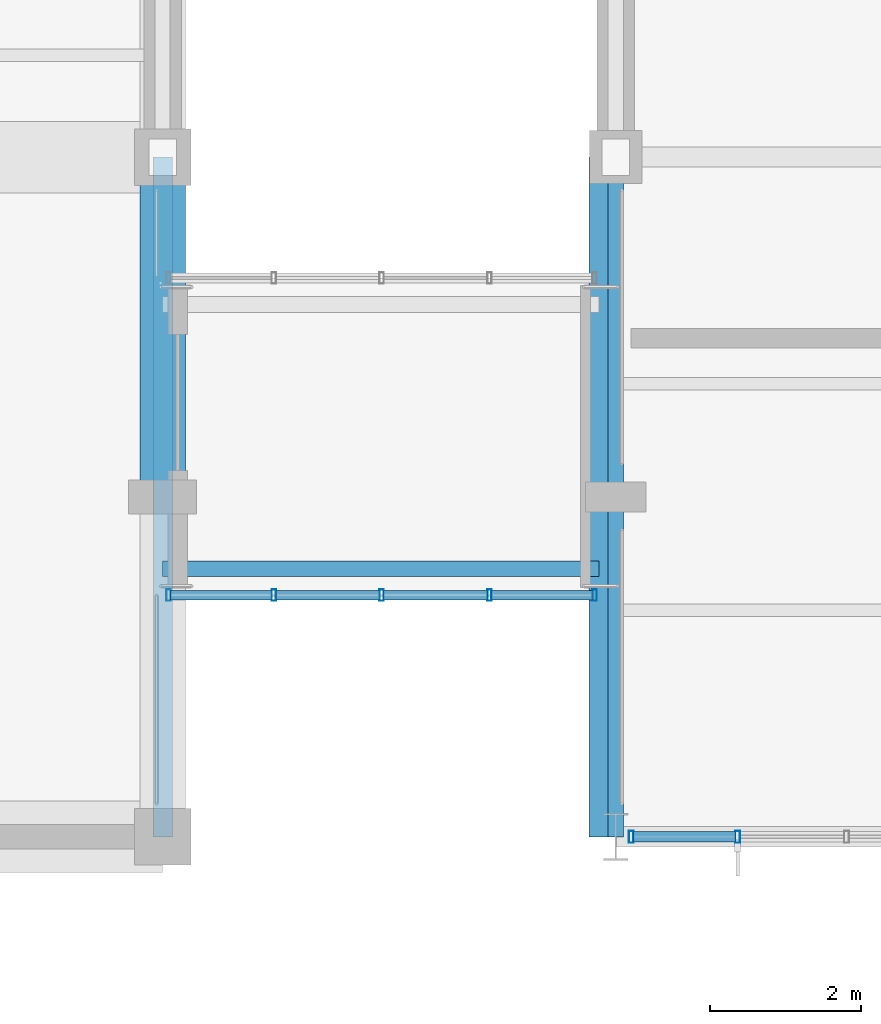
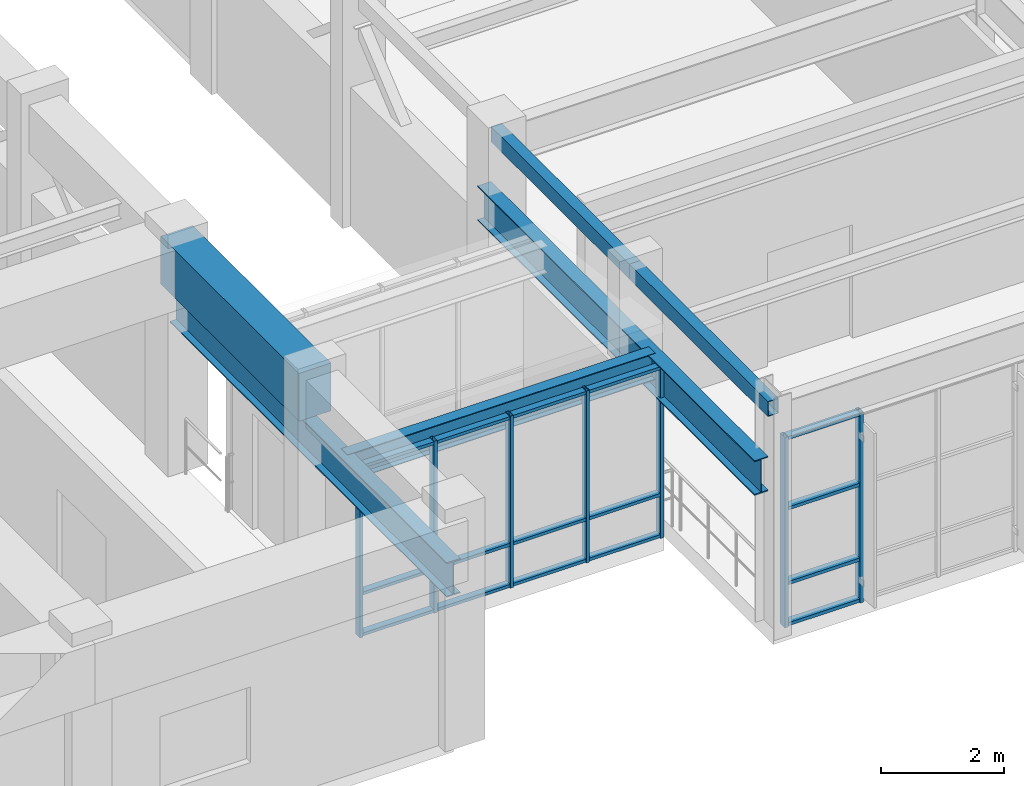
# One storey, part 53 of 99: 23 members, 6 beams, 2 elements without a shape of their own.
"""IFC4 building model written with IfcOpenShell, lengths in metres."""

from ifc_helpers import new_model, si_unit, direction, frame, origin, origin_2d, place, context, subcontext, project, spatial, rectangle, hollow_rectangle, i_section, extrude, material, layer, layer_set, material_profile, profile_set, type_object, element, aggregate, save


model = new_model("IFC4")

# Units and contexts
model_context = context("Model", 3, precision=1e-05, world=origin(), true_north=direction((0.0, 1.0)))
body_context = subcontext(model_context, "Body", "Model", "MODEL_VIEW")
ifc_project = project(units=[si_unit("LENGTHUNIT", "METRE"), si_unit("AREAUNIT", "SQUARE_METRE"), si_unit("VOLUMEUNIT", "CUBIC_METRE"), si_unit("PLANEANGLEUNIT", "RADIAN"), si_unit("MASSUNIT", "GRAM", prefix="KILO")], contexts=[model_context])

# Site, building, storey
site_placement = place(None, origin())
site = spatial("IfcSite", under=ifc_project, at=site_placement, CompositionType="ELEMENT")
building_placement = place(site_placement, origin())
building = spatial("IfcBuilding", under=site, at=building_placement, Name="Ventoquebrada Cableway Terminal", CompositionType="ELEMENT")
storey_placement = place(building_placement, frame((0.0, 0.0, 9.60009765625)))
storey = spatial("IfcBuildingStorey", under=building, at=storey_placement, Name="L02", CompositionType="ELEMENT", Elevation=9.60009765625)

# Beams
ifc_material_1 = material(Name="Concrete C40/50", Category="concrete")
ifc_material_profile_1 = material_profile(ifc_material_1, rectangle(XDim=0.60009765625, YDim=0.949951171875, at=origin_2d()), Name="RC-BM-600X950")
ifc_profile_set_1 = profile_set([ifc_material_profile_1], Name="Concrete C40/50")
beam_type_1 = type_object("IfcBeamType", Name="BM-RC05", PredefinedType="BEAM", material=ifc_profile_set_1)
beam_1_placement = place(storey_placement, frame((123.0, 81.5, 4.054931640625), z_axis=(0.0, 1.0, 0.0), x_axis=(-1.0, 0.0, 0.0)))
element("IfcBeam", 1, at=beam_1_placement, inside=storey, type_object=beam_type_1, Name="Perimeter spandrel beam FBM-0696", PredefinedType="BEAM", context=body_context, shape_type="SweptSolid", body=[
    extrude(rectangle(XDim=0.60009765625, YDim=0.949951171875, at=origin_2d()), origin(), (0.0, 0.0, 1.0), 4.5),
])
ifc_material_2 = material(Name="Steel ASTM A992 Grade 50", Category="steel")
ifc_material_profile_2 = material_profile(ifc_material_2, i_section(OverallWidth=0.2099609375, OverallDepth=0.532958984375, WebThickness=0.01025390625, FlangeThickness=0.015625, at=origin_2d()), Name="W21X62")
ifc_profile_set_2 = profile_set([ifc_material_profile_2], Name="Steel ASTM A992 Grade 50")
beam_type_2 = type_object("IfcBeamType", Name="BM-ST01", PredefinedType="BEAM", material=ifc_profile_set_2)
beam_2_placement = place(storey_placement, frame((123.0, 80.550048828125, 3.183837890625), z_axis=(1.0, 0.0, 0.0), x_axis=(0.0, 1.0, 0.0)))
element("IfcBeam", 2, at=beam_2_placement, inside=storey, type_object=beam_type_2, Name="Link bridge roof girder LP-4 FBM-1125", PredefinedType="BEAM", context=body_context, shape_type="SweptSolid", body=[
    extrude(i_section(OverallWidth=0.2099609375, OverallDepth=0.532958984375, WebThickness=0.01025390625, FlangeThickness=0.015625, at=origin_2d()), origin(), (0.0, 0.0, 1.0), 5.77490234375),
])
ifc_material_profile_3 = material_profile(ifc_material_2, i_section(OverallWidth=0.25390625, OverallDepth=0.68798828125, WebThickness=0.01318359375, FlangeThickness=0.02099609375, at=origin_2d()), Name="W27X102")
ifc_profile_set_3 = profile_set([ifc_material_profile_3], Name="Steel ASTM A992 Grade 50")
beam_type_3 = type_object("IfcBeamType", Name="BM-ST04", PredefinedType="BEAM", material=ifc_profile_set_3)
for number, where, z_axis, x_axis, name in (
    (3, (128.77490234375, 77.0, 3.100830078125), (0.0, 1.0, 0.0), (-1.0, 0.0, 0.0), "Bridge roof corbel girder LP-4 FBM-1122"),
    (4, (123.0, 77.0, 3.100830078125), (0.0, 1.0, 0.0), (-1.0, 0.0, 0.0), "Bridge roof support girder LP-4 FBM-1123"),
):
    element("IfcBeam", number, at=place(storey_placement, frame(where, z_axis=z_axis, x_axis=x_axis)), inside=storey, type_object=beam_type_3, Name=name, PredefinedType="BEAM", context=body_context, shape_type="SweptSolid", body=[
        extrude(i_section(OverallWidth=0.25390625, OverallDepth=0.68798828125, WebThickness=0.01318359375, FlangeThickness=0.02099609375, at=origin_2d()), origin(), (0.0, 0.0, 1.0), 9.0),
    ])

# Curtain wall, members
ifc_material_3 = material(Name="Anodized thermally-broken aluminium", Category="aluminium")
ifc_layer_1 = layer(ifc_material_3, 0.159912109375)
ifc_layer_set_1 = layer_set([ifc_layer_1], Name="Anodized thermally-broken aluminium")
curtain_wall_type_1 = type_object("IfcCurtainWallType", Name="CW-T33", PredefinedType="USERDEFINED", material=ifc_layer_set_1)
curtain_wall_1_placement = place(storey_placement, origin())
curtain_wall_1 = element("IfcCurtainWall", 5, at=curtain_wall_1_placement, inside=storey, type_object=curtain_wall_type_1, Name="Unitised glazed curtain wall CW-078", ObjectType="UNITISED CURTAIN WALL", PredefinedType="USERDEFINED")
ifc_material_profile_4 = material_profile(ifc_material_3, hollow_rectangle(XDim=0.06494140625, YDim=0.159912109375, WallThickness=0.00390625, at=origin_2d()), Name="CW-MUL-65X160")
ifc_profile_set_4 = profile_set([ifc_material_profile_4], Name="Anodized thermally-broken aluminium")
member_type_1 = type_object("IfcMemberType", Name="CWM-01", PredefinedType="MULLION", material=ifc_profile_set_4)
member_1_placement = place(storey_placement, frame((129.2041015625, 77.0, -0.008056640625), z_axis=(0.0, 0.0, 1.0), x_axis=(1.0, 0.0, 0.0)))
member_1 = element("IfcMember", 6, at=member_1_placement, type_object=member_type_1, Name="Curtain wall mullion FML-0372", PredefinedType="MULLION", context=body_context, shape_type="SweptSolid", body=[
    extrude(hollow_rectangle(XDim=0.06494140625, YDim=0.159912109375, WallThickness=0.00390625, at=origin_2d()), origin(), (0.0, 0.0, 1.0), 3.77587890625),
])
member_2_placement = place(storey_placement, frame((130.613037109375, 77.0, -0.008056640625), z_axis=(0.0, 0.0, 1.0), x_axis=(1.0, 0.0, 0.0)))
member_2 = element("IfcMember", 7, at=member_2_placement, type_object=member_type_1, Name="Curtain wall mullion FML-0373", PredefinedType="MULLION", context=body_context, shape_type="SweptSolid", body=[
    extrude(hollow_rectangle(XDim=0.06494140625, YDim=0.159912109375, WallThickness=0.00390625, at=origin_2d()), origin(), (0.0, 0.0, 1.0), 3.77587890625),
])

ifc_layer_2 = layer(ifc_material_3, 0.159912109375)
ifc_layer_set_2 = layer_set([ifc_layer_2], Name="Anodized thermally-broken aluminium")
curtain_wall_type_2 = type_object("IfcCurtainWallType", Name="CW-T56", PredefinedType="USERDEFINED", material=ifc_layer_set_2)
curtain_wall_2_placement = place(storey_placement, origin())
curtain_wall_2 = element("IfcCurtainWall", 8, at=curtain_wall_2_placement, inside=storey, type_object=curtain_wall_type_2, Name="Unitised glazed curtain wall CW-175", ObjectType="UNITISED CURTAIN WALL", PredefinedType="USERDEFINED")
ifc_material_profile_5 = material_profile(ifc_material_3, hollow_rectangle(XDim=0.06005859375, YDim=0.14990234375, WallThickness=0.00390625, at=origin_2d()), Name="CW-MUL-60X150")
ifc_profile_set_5 = profile_set([ifc_material_profile_5], Name="Anodized thermally-broken aluminium")
member_type_2 = type_object("IfcMemberType", Name="CWM-03", PredefinedType="MULLION", material=ifc_profile_set_5)
member_3_placement = place(storey_placement, frame((123.080078125, 80.199951171875, -0.008056640625), z_axis=(0.0, 0.0, 1.0), x_axis=(1.0, 0.0, 0.0)))
member_3 = element("IfcMember", 9, at=member_3_placement, type_object=member_type_2, Name="Curtain wall mullion FML-0877", PredefinedType="MULLION", context=body_context, shape_type="SweptSolid", body=[
    extrude(hollow_rectangle(XDim=0.06005859375, YDim=0.14990234375, WallThickness=0.00390625, at=origin_2d()), origin(), (0.0, 0.0, 1.0), 3.412841796875),
])
member_4_placement = place(storey_placement, frame((124.471923828125, 80.199951171875, -0.008056640625), z_axis=(0.0, 0.0, 1.0), x_axis=(1.0, 0.0, 0.0)))
member_4 = element("IfcMember", 10, at=member_4_placement, type_object=member_type_2, Name="Curtain wall mullion FML-0878", PredefinedType="MULLION", context=body_context, shape_type="SweptSolid", body=[
    extrude(hollow_rectangle(XDim=0.06005859375, YDim=0.14990234375, WallThickness=0.00390625, at=origin_2d()), origin(), (0.0, 0.0, 1.0), 3.412841796875),
])
member_5_placement = place(storey_placement, frame((125.89990234375, 80.199951171875, -0.008056640625), z_axis=(0.0, 0.0, 1.0), x_axis=(1.0, 0.0, 0.0)))
member_5 = element("IfcMember", 11, at=member_5_placement, type_object=member_type_2, Name="Curtain wall mullion FML-0879", PredefinedType="MULLION", context=body_context, shape_type="SweptSolid", body=[
    extrude(hollow_rectangle(XDim=0.06005859375, YDim=0.14990234375, WallThickness=0.00390625, at=origin_2d()), origin(), (0.0, 0.0, 1.0), 3.412841796875),
])
member_6_placement = place(storey_placement, frame((127.327880859375, 80.199951171875, -0.008056640625), z_axis=(0.0, 0.0, 1.0), x_axis=(1.0, 0.0, 0.0)))
member_6 = element("IfcMember", 12, at=member_6_placement, type_object=member_type_2, Name="Curtain wall mullion FML-0880", PredefinedType="MULLION", context=body_context, shape_type="SweptSolid", body=[
    extrude(hollow_rectangle(XDim=0.06005859375, YDim=0.14990234375, WallThickness=0.00390625, at=origin_2d()), origin(), (0.0, 0.0, 1.0), 3.412841796875),
])
member_7_placement = place(storey_placement, frame((128.719970703125, 80.199951171875, -0.008056640625), z_axis=(0.0, 0.0, 1.0), x_axis=(1.0, 0.0, 0.0)))
member_7 = element("IfcMember", 13, at=member_7_placement, type_object=member_type_2, Name="Curtain wall mullion FML-0881", PredefinedType="MULLION", context=body_context, shape_type="SweptSolid", body=[
    extrude(hollow_rectangle(XDim=0.06005859375, YDim=0.14990234375, WallThickness=0.00390625, at=origin_2d()), origin(), (0.0, 0.0, 1.0), 3.412841796875),
])

# Member
ifc_material_profile_6 = material_profile(ifc_material_3, hollow_rectangle(XDim=0.06494140625, YDim=0.139892578125, WallThickness=0.00390625, at=origin_2d()), Name="CW-TRN-65X140")
ifc_profile_set_6 = profile_set([ifc_material_profile_6], Name="Anodized thermally-broken aluminium")
member_type_3 = type_object("IfcMemberType", Name="CWT-01", PredefinedType="USERDEFINED", material=ifc_profile_set_6)
member_8_placement = place(storey_placement, frame((129.23193359375, 77.0, 0.034912109375), z_axis=(1.0, 0.0, 0.0), x_axis=(0.0, 0.0, 1.0)))
member_8 = element("IfcMember", 14, at=member_8_placement, type_object=member_type_3, Name="Curtain wall transom FTR-1084", ObjectType="TRANSOM", PredefinedType="USERDEFINED", context=body_context, shape_type="SweptSolid", body=[
    extrude(hollow_rectangle(XDim=0.06494140625, YDim=0.139892578125, WallThickness=0.00390625, at=origin_2d()), origin(), (0.0, 0.0, 1.0), 1.35302734375),
])

member_9_placement = place(storey_placement, frame((129.23193359375, 77.0, 0.849853515625), z_axis=(1.0, 0.0, 0.0), x_axis=(0.0, 0.0, 1.0)))
member_9 = element("IfcMember", 15, at=member_9_placement, type_object=member_type_3, Name="Curtain wall transom FTR-1085", ObjectType="TRANSOM", PredefinedType="USERDEFINED", context=body_context, shape_type="SweptSolid", body=[
    extrude(hollow_rectangle(XDim=0.06494140625, YDim=0.139892578125, WallThickness=0.00390625, at=origin_2d()), origin(), (0.0, 0.0, 1.0), 1.35302734375),
])

member_10_placement = place(storey_placement, frame((129.23193359375, 77.0, 2.3330078125), z_axis=(1.0, 0.0, 0.0), x_axis=(0.0, 0.0, 1.0)))
member_10 = element("IfcMember", 16, at=member_10_placement, type_object=member_type_3, Name="Curtain wall transom FTR-1086", ObjectType="TRANSOM", PredefinedType="USERDEFINED", context=body_context, shape_type="SweptSolid", body=[
    extrude(hollow_rectangle(XDim=0.06494140625, YDim=0.139892578125, WallThickness=0.00390625, at=origin_2d()), origin(), (0.0, 0.0, 1.0), 1.35302734375),
])

member_11_placement = place(storey_placement, frame((129.23193359375, 77.0, 3.727783203125), z_axis=(1.0, 0.0, 0.0), x_axis=(0.0, 0.0, 1.0)))
member_11 = element("IfcMember", 17, at=member_11_placement, type_object=member_type_3, Name="Curtain wall transom FTR-1087", ObjectType="TRANSOM", PredefinedType="USERDEFINED", context=body_context, shape_type="SweptSolid", body=[
    extrude(hollow_rectangle(XDim=0.06494140625, YDim=0.139892578125, WallThickness=0.00390625, at=origin_2d()), origin(), (0.0, 0.0, 1.0), 1.35302734375),
])

aggregate(curtain_wall_1, [member_1, member_2, member_8, member_9, member_10, member_11])

ifc_material_profile_7 = material_profile(ifc_material_3, hollow_rectangle(XDim=0.06005859375, YDim=0.1298828125, WallThickness=0.00390625, at=origin_2d()), Name="CW-TRN-60X130")
ifc_profile_set_7 = profile_set([ifc_material_profile_7], Name="Anodized thermally-broken aluminium")
member_type_4 = type_object("IfcMemberType", Name="CWT-02", PredefinedType="USERDEFINED", material=ifc_profile_set_7)
member_12_placement = place(storey_placement, frame((123.10498046875, 80.199951171875, 0.034912109375), z_axis=(1.0, 0.0, 0.0), x_axis=(0.0, 0.0, 1.0)))
member_12 = element("IfcMember", 18, at=member_12_placement, type_object=member_type_4, Name="Curtain wall transom FTR-2555", ObjectType="TRANSOM", PredefinedType="USERDEFINED", context=body_context, shape_type="SweptSolid", body=[
    extrude(hollow_rectangle(XDim=0.06005859375, YDim=0.1298828125, WallThickness=0.00390625, at=origin_2d()), origin(), (0.0, 0.0, 1.0), 1.343017578125),
])

member_13_placement = place(storey_placement, frame((123.10498046875, 80.199951171875, 0.849853515625), z_axis=(1.0, 0.0, 0.0), x_axis=(0.0, 0.0, 1.0)))
member_13 = element("IfcMember", 19, at=member_13_placement, type_object=member_type_4, Name="Curtain wall transom FTR-2556", ObjectType="TRANSOM", PredefinedType="USERDEFINED", context=body_context, shape_type="SweptSolid", body=[
    extrude(hollow_rectangle(XDim=0.06005859375, YDim=0.1298828125, WallThickness=0.00390625, at=origin_2d()), origin(), (0.0, 0.0, 1.0), 1.343017578125),
])

member_14_placement = place(storey_placement, frame((123.10498046875, 80.199951171875, 3.364990234375), z_axis=(1.0, 0.0, 0.0), x_axis=(0.0, 0.0, 1.0)))
member_14 = element("IfcMember", 20, at=member_14_placement, type_object=member_type_4, Name="Curtain wall transom FTR-2557", ObjectType="TRANSOM", PredefinedType="USERDEFINED", context=body_context, shape_type="SweptSolid", body=[
    extrude(hollow_rectangle(XDim=0.06005859375, YDim=0.1298828125, WallThickness=0.00390625, at=origin_2d()), origin(), (0.0, 0.0, 1.0), 1.343017578125),
])

member_15_placement = place(storey_placement, frame((124.498046875, 80.199951171875, 0.034912109375), z_axis=(1.0, 0.0, 0.0), x_axis=(0.0, 0.0, 1.0)))
member_15 = element("IfcMember", 21, at=member_15_placement, type_object=member_type_4, Name="Curtain wall transom FTR-2558", ObjectType="TRANSOM", PredefinedType="USERDEFINED", context=body_context, shape_type="SweptSolid", body=[
    extrude(hollow_rectangle(XDim=0.06005859375, YDim=0.1298828125, WallThickness=0.00390625, at=origin_2d()), origin(), (0.0, 0.0, 1.0), 1.376953125),
])

member_16_placement = place(storey_placement, frame((124.498046875, 80.199951171875, 0.849853515625), z_axis=(1.0, 0.0, 0.0), x_axis=(0.0, 0.0, 1.0)))
member_16 = element("IfcMember", 22, at=member_16_placement, type_object=member_type_4, Name="Curtain wall transom FTR-2559", ObjectType="TRANSOM", PredefinedType="USERDEFINED", context=body_context, shape_type="SweptSolid", body=[
    extrude(hollow_rectangle(XDim=0.06005859375, YDim=0.1298828125, WallThickness=0.00390625, at=origin_2d()), origin(), (0.0, 0.0, 1.0), 1.376953125),
])

member_17_placement = place(storey_placement, frame((124.498046875, 80.199951171875, 3.364990234375), z_axis=(1.0, 0.0, 0.0), x_axis=(0.0, 0.0, 1.0)))
member_17 = element("IfcMember", 23, at=member_17_placement, type_object=member_type_4, Name="Curtain wall transom FTR-2560", ObjectType="TRANSOM", PredefinedType="USERDEFINED", context=body_context, shape_type="SweptSolid", body=[
    extrude(hollow_rectangle(XDim=0.06005859375, YDim=0.1298828125, WallThickness=0.00390625, at=origin_2d()), origin(), (0.0, 0.0, 1.0), 1.376953125),
])

member_18_placement = place(storey_placement, frame((125.925048828125, 80.199951171875, 0.034912109375), z_axis=(1.0, 0.0, 0.0), x_axis=(0.0, 0.0, 1.0)))
member_18 = element("IfcMember", 24, at=member_18_placement, type_object=member_type_4, Name="Curtain wall transom FTR-2561", ObjectType="TRANSOM", PredefinedType="USERDEFINED", context=body_context, shape_type="SweptSolid", body=[
    extrude(hollow_rectangle(XDim=0.06005859375, YDim=0.1298828125, WallThickness=0.00390625, at=origin_2d()), origin(), (0.0, 0.0, 1.0), 1.376953125),
])

member_19_placement = place(storey_placement, frame((125.925048828125, 80.199951171875, 0.849853515625), z_axis=(1.0, 0.0, 0.0), x_axis=(0.0, 0.0, 1.0)))
member_19 = element("IfcMember", 25, at=member_19_placement, type_object=member_type_4, Name="Curtain wall transom FTR-2562", ObjectType="TRANSOM", PredefinedType="USERDEFINED", context=body_context, shape_type="SweptSolid", body=[
    extrude(hollow_rectangle(XDim=0.06005859375, YDim=0.1298828125, WallThickness=0.00390625, at=origin_2d()), origin(), (0.0, 0.0, 1.0), 1.376953125),
])

member_20_placement = place(storey_placement, frame((125.925048828125, 80.199951171875, 3.364990234375), z_axis=(1.0, 0.0, 0.0), x_axis=(0.0, 0.0, 1.0)))
member_20 = element("IfcMember", 26, at=member_20_placement, type_object=member_type_4, Name="Curtain wall transom FTR-2563", ObjectType="TRANSOM", PredefinedType="USERDEFINED", context=body_context, shape_type="SweptSolid", body=[
    extrude(hollow_rectangle(XDim=0.06005859375, YDim=0.1298828125, WallThickness=0.00390625, at=origin_2d()), origin(), (0.0, 0.0, 1.0), 1.376953125),
])

member_21_placement = place(storey_placement, frame((127.35205078125, 80.199951171875, 0.034912109375), z_axis=(1.0, 0.0, 0.0), x_axis=(0.0, 0.0, 1.0)))
member_21 = element("IfcMember", 27, at=member_21_placement, type_object=member_type_4, Name="Curtain wall transom FTR-2564", ObjectType="TRANSOM", PredefinedType="USERDEFINED", context=body_context, shape_type="SweptSolid", body=[
    extrude(hollow_rectangle(XDim=0.06005859375, YDim=0.1298828125, WallThickness=0.00390625, at=origin_2d()), origin(), (0.0, 0.0, 1.0), 1.343017578125),
])

member_22_placement = place(storey_placement, frame((127.35205078125, 80.199951171875, 0.849853515625), z_axis=(1.0, 0.0, 0.0), x_axis=(0.0, 0.0, 1.0)))
member_22 = element("IfcMember", 28, at=member_22_placement, type_object=member_type_4, Name="Curtain wall transom FTR-2565", ObjectType="TRANSOM", PredefinedType="USERDEFINED", context=body_context, shape_type="SweptSolid", body=[
    extrude(hollow_rectangle(XDim=0.06005859375, YDim=0.1298828125, WallThickness=0.00390625, at=origin_2d()), origin(), (0.0, 0.0, 1.0), 1.343017578125),
])

member_23_placement = place(storey_placement, frame((127.35205078125, 80.199951171875, 3.364990234375), z_axis=(1.0, 0.0, 0.0), x_axis=(0.0, 0.0, 1.0)))
member_23 = element("IfcMember", 29, at=member_23_placement, type_object=member_type_4, Name="Curtain wall transom FTR-2566", ObjectType="TRANSOM", PredefinedType="USERDEFINED", context=body_context, shape_type="SweptSolid", body=[
    extrude(hollow_rectangle(XDim=0.06005859375, YDim=0.1298828125, WallThickness=0.00390625, at=origin_2d()), origin(), (0.0, 0.0, 1.0), 1.343017578125),
])

aggregate(curtain_wall_2, [member_3, member_4, member_5, member_6, member_7, member_12, member_13, member_14, member_15, member_16, member_17, member_18, member_19, member_20, member_21, member_22, member_23])

# Beams
ifc_material_4 = material(Name="Steel ASTM A500 Grade C", Category="steel")
ifc_material_profile_8 = material_profile(ifc_material_4, hollow_rectangle(XDim=0.199951171875, YDim=0.300048828125, WallThickness=0.012451171875, at=origin_2d()), Name="RHS300X200X12.5")
ifc_profile_set_8 = profile_set([ifc_material_profile_8], Name="Steel ASTM A500 Grade C")
beam_type_4 = type_object("IfcBeamType", Name="SP-ST02", PredefinedType="SPANDREL", material=ifc_profile_set_8)
for number, where, z_axis, x_axis, name in (
    (30, (129.0, 77.0, 4.3798828125), (0.0, 1.0, 0.0), (-1.0, 0.0, 0.0), "Perimeter spandrel beam FBM-0871"),
    (31, (129.0, 81.5, 4.3798828125), (0.0, 1.0, 0.0), (-1.0, 0.0, 0.0), "Perimeter spandrel beam FBM-0872"),
):
    element("IfcBeam", number, at=place(storey_placement, frame(where, z_axis=z_axis, x_axis=x_axis)), inside=storey, type_object=beam_type_4, Name=name, PredefinedType="SPANDREL", context=body_context, shape_type="SweptSolid", body=[
        extrude(hollow_rectangle(XDim=0.199951171875, YDim=0.300048828125, WallThickness=0.012451171875, at=origin_2d()), origin(), (0.0, 0.0, 1.0), 4.5),
    ])

save(model, "model.ifc")
